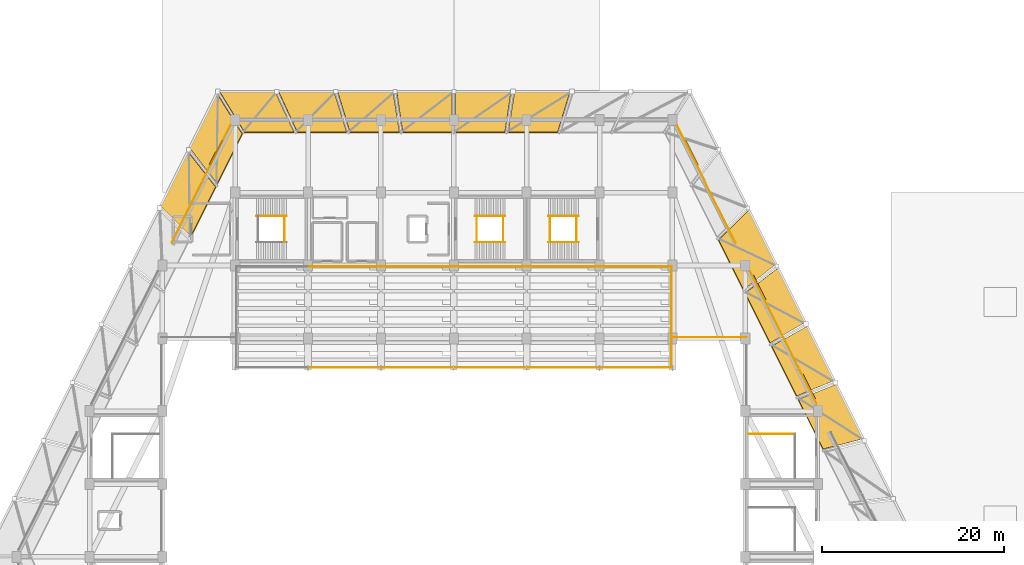
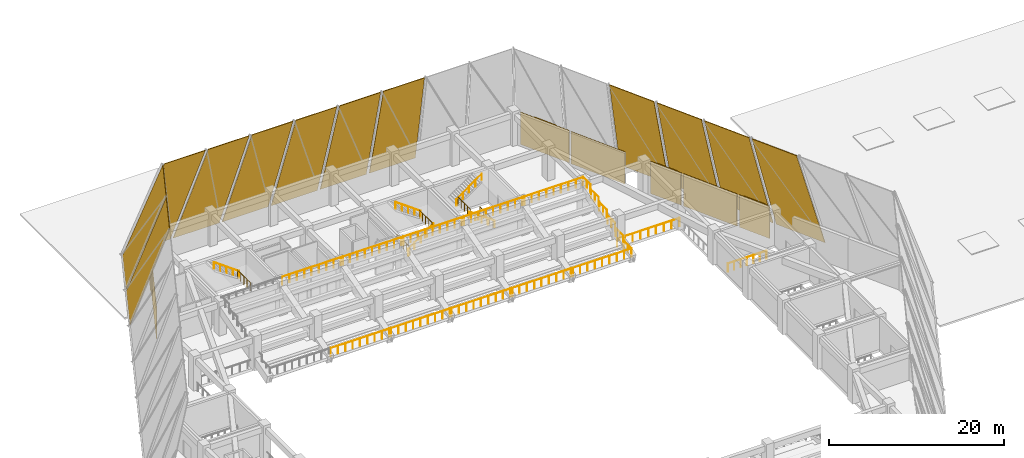
# One storey, part 23 of 24: 28 railings, 19 coverings, 4 shading devices.
"""IFC4 building model written with IfcOpenShell, lengths in metres."""

from ifc_helpers import new_model, si_unit, direction, frame, origin, origin_2d, place, context, subcontext, project, spatial, polyline, rectangle, circle, outline, extrude, material, layer, layer_set, type_object, element, save


model = new_model("IFC4")

# Units and contexts
model_context = context("Model", 3, precision=1e-05, world=origin(), true_north=direction((0.0, 1.0)))
body_context = subcontext(model_context, "Body", "Model", "MODEL_VIEW")
ifc_project = project(units=[si_unit("LENGTHUNIT", "METRE"), si_unit("AREAUNIT", "SQUARE_METRE"), si_unit("VOLUMEUNIT", "CUBIC_METRE"), si_unit("PLANEANGLEUNIT", "RADIAN"), si_unit("MASSUNIT", "GRAM", prefix="KILO")], contexts=[model_context])

# Site, building, storey
site_placement = place(None, origin())
site = spatial("IfcSite", under=ifc_project, at=site_placement, CompositionType="ELEMENT")
building_placement = place(site_placement, origin())
building = spatial("IfcBuilding", under=site, at=building_placement, Name="Tazarka Park Arena", CompositionType="ELEMENT")
storey_placement = place(building_placement, frame((0.0, 0.0, 15.0)))
storey = spatial("IfcBuildingStorey", under=building, at=storey_placement, Name="L03", CompositionType="ELEMENT", Elevation=15.0)

# Coverings
ifc_material_1 = material(Name="Dark ribbed perforated bronze-charcoal aluminium mesh", Category="aluminium")
ifc_layer = layer(ifc_material_1, 0.06005859375, Name="Dark ribbed perforated bronze-charcoal aluminium mesh")
ifc_layer_set = layer_set([ifc_layer], Name="Dark ribbed perforated bronze-charcoal aluminium mesh")
covering_type = type_object("IfcCoveringType", Name="CLD-01", PredefinedType="CLADDING", material=ifc_layer_set)
covering_1_placement = place(storey_placement, frame((132.976318359375, 76.9794921875, 0.0), z_axis=(0.854416765636, 0.427226622438, 0.295718453399), x_axis=(-0.447230089743, 0.894418943678, 4.404259e-06)))
element("IfcCovering", 1, at=covering_1_placement, inside=storey, type_object=covering_type, Name="Folded Gem Upper Ribbed Mesh Facet 019", PredefinedType="CLADDING", context=body_context, shape_type="SweptSolid", body=[
    extrude(outline(polyline([(0.0, 0.0), (6.684292856854548, -1.1102230246251565e-16), (7.063849226908394, 15.053099441361649), (0.9616109827677333, 15.053158393174112), (0.0, 0.0)])), origin(), (0.0, 0.0, -1.0), 0.080078125),
])
covering_2_placement = place(storey_placement, frame((129.782470703125, 83.366943359375, 0.0), z_axis=(0.854426594025, 0.427204177292, 0.295722481945), x_axis=(-0.447205348382, 0.894431314509, -2.202102e-06)))
element("IfcCovering", 2, at=covering_2_placement, inside=storey, type_object=covering_type, Name="Folded Gem Upper Ribbed Mesh Facet 020", PredefinedType="CLADDING", context=body_context, shape_type="SweptSolid", body=[
    extrude(outline(polyline([(0.0, 0.0), (6.684402037742119, 2.220446049250313e-16), (6.441506318627199, 15.053166509555366), (0.3392680736639323, 15.053137033729044), (0.0, 0.0)])), origin(), (0.0, 0.0, -1.0), 0.080078125),
])
covering_3_placement = place(storey_placement, frame((126.588623046875, 89.75439453125, 0.0), z_axis=(0.854425702053, 0.427212851026, 0.295712528631), x_axis=(-0.447212317948, 0.894427829763, -4.614148e-06)))
element("IfcCovering", 3, at=covering_3_placement, inside=storey, type_object=covering_type, Name="Folded Gem Upper Ribbed Mesh Facet 021", PredefinedType="CLADDING", context=body_context, shape_type="SweptSolid", body=[
    extrude(outline(polyline([(0.0, 0.0), (6.684402037113722, -2.220446049250313e-16), (5.819381548767856, 15.05313121648849), (-0.282638330229048, 15.053069455925998), (0.0, 0.0)])), origin(), (0.0, 0.0, -1.0), 0.080078125),
])
covering_4_placement = place(storey_placement, frame((123.39501953125, 96.141845703125, 0.0), z_axis=(0.854418063297, 0.427227271296, 0.295713766626), x_axis=(-0.447228812099, 0.894419582539, -2.10195e-07)))
element("IfcCovering", 4, at=covering_4_placement, inside=storey, type_object=covering_type, Name="Folded Gem Upper Ribbed Mesh Facet 022", PredefinedType="CLADDING", context=body_context, shape_type="SweptSolid", body=[
    extrude(outline(polyline([(0.0, 0.0), (6.684511220932458, 1.1102230246251565e-16), (5.197511377516311, 15.053110290258305), (-0.9045085026820289, 15.053107476761605), (0.0, 0.0)])), origin(), (0.0, 0.0, -1.0), 0.080078125),
])
covering_5_placement = place(storey_placement, frame((100.75048828125, 115.10009765625, 0.0), z_axis=(0.0, 0.955276509759, 0.295714033997), x_axis=(-1.0, 0.0, 0.0)))
element("IfcCovering", 5, at=covering_5_placement, inside=storey, type_object=covering_type, Name="Folded Gem Upper Ribbed Mesh Facet 027", PredefinedType="CLADDING", context=body_context, shape_type="SweptSolid", body=[
    extrude(outline(polyline([(0.0, 0.0), (6.064208984375, 0.0), (6.77392578125, 15.053110450846884), (1.353271484375, 15.053110450846884), (0.0, 0.0)])), origin(), (0.0, 0.0, -1.0), 0.080078125),
])
covering_6_placement = place(storey_placement, frame((94.271484375, 115.10009765625, 0.0), z_axis=(0.0, 0.955276509759, 0.295714033997), x_axis=(-1.0, 0.0, 0.0)))
element("IfcCovering", 6, at=covering_6_placement, inside=storey, type_object=covering_type, Name="Folded Gem Upper Ribbed Mesh Facet 028", PredefinedType="CLADDING", context=body_context, shape_type="SweptSolid", body=[
    extrude(outline(polyline([(0.0, 0.0), (6.064208984375, 0.0), (6.086181640625, 15.053110450846884), (0.66552734375, 15.053110450846884), (0.0, 0.0)])), origin(), (0.0, 0.0, -1.0), 0.080078125),
])
covering_7_placement = place(storey_placement, frame((87.792724609375, 115.10009765625, 0.0), z_axis=(0.0, 0.955276509759, 0.295714033997), x_axis=(-1.0, 0.0, 0.0)))
element("IfcCovering", 7, at=covering_7_placement, inside=storey, type_object=covering_type, Name="Folded Gem Upper Ribbed Mesh Facet 029", PredefinedType="CLADDING", context=body_context, shape_type="SweptSolid", body=[
    extrude(outline(polyline([(0.0, 0.0), (6.064208984375, 0.0), (5.398681640625, 15.053110450846884), (-0.02197265625, 15.053110450846884), (0.0, 0.0)])), origin(), (0.0, 0.0, -1.0), 0.080078125),
])
covering_8_placement = place(storey_placement, frame((81.313720703125, 115.10009765625, 0.0), z_axis=(0.0, 0.955276509759, 0.295714033997), x_axis=(-1.0, 0.0, 0.0)))
element("IfcCovering", 8, at=covering_8_placement, inside=storey, type_object=covering_type, Name="Folded Gem Upper Ribbed Mesh Facet 030", PredefinedType="CLADDING", context=body_context, shape_type="SweptSolid", body=[
    extrude(outline(polyline([(0.0, 0.0), (6.064208984375, 0.0), (4.7109375, 15.053110450846884), (-0.709716796875, 15.053110450846884), (0.0, 0.0)])), origin(), (0.0, 0.0, -1.0), 0.080078125),
])
covering_9_placement = place(storey_placement, frame((74.834716796875, 115.10009765625, 0.0), z_axis=(0.0, 0.955276509759, 0.295714033997), x_axis=(-1.0, 0.0, 0.0)))
element("IfcCovering", 9, at=covering_9_placement, inside=storey, type_object=covering_type, Name="Folded Gem Upper Ribbed Mesh Facet 031", PredefinedType="CLADDING", context=body_context, shape_type="SweptSolid", body=[
    extrude(outline(polyline([(0.0, 0.0), (6.064208984375, 0.0), (4.02294921875, 15.053110450846884), (-1.397705078125, 15.053110450846884), (0.0, 0.0)])), origin(), (0.0, 0.0, -1.0), 0.080078125),
])
covering_10_placement = place(storey_placement, frame((68.355712890625, 115.10009765625, 0.0), z_axis=(0.0, 0.955276509759, 0.295714033997), x_axis=(-1.0, 0.0, 0.0)))
element("IfcCovering", 10, at=covering_10_placement, inside=storey, type_object=covering_type, Name="Folded Gem Upper Ribbed Mesh Facet 032", PredefinedType="CLADDING", context=body_context, shape_type="SweptSolid", body=[
    extrude(outline(polyline([(0.0, 0.0), (6.064208984375, 0.0), (3.335205078125, 15.053110450846884), (-2.08544921875, 15.053110450846884), (0.0, 0.0)])), origin(), (0.0, 0.0, -1.0), 0.080078125),
])
covering_11_placement = place(storey_placement, frame((61.98193359375, 114.8955078125, 0.0), z_axis=(-0.854422620568, 0.427220430351, 0.295710482317), x_axis=(-0.447220565242, -0.894423706092, 2.41218e-06)))
element("IfcCovering", 11, at=covering_11_placement, inside=storey, type_object=covering_type, Name="Folded Gem Upper Ribbed Mesh Facet 033", PredefinedType="CLADDING", context=body_context, shape_type="SweptSolid", body=[
    extrude(outline(polyline([(0.0, 0.0), (6.6841836707999365, 0.0), (8.83323279246505, 15.053070821129827), (2.73121291259323, 15.053103107689404), (0.0, 0.0)])), origin(), (0.0, 0.0, -1.0), 0.080078125),
])
covering_12_placement = place(storey_placement, frame((58.7880859375, 108.508056640625, 0.0), z_axis=(-0.854425702053, 0.427212851026, 0.295712528631), x_axis=(-0.447212317948, -0.894427829763, 4.614148e-06)))
element("IfcCovering", 12, at=covering_12_placement, inside=storey, type_object=covering_type, Name="Folded Gem Upper Ribbed Mesh Facet 034", PredefinedType="CLADDING", context=body_context, shape_type="SweptSolid", body=[
    extrude(outline(polyline([(0.0, 0.0), (6.684402037113722, 2.220446049250313e-16), (8.211180728832655, 15.053063446519374), (2.1091608498357544, 15.053125207081868), (0.0, 0.0)])), origin(), (0.0, 0.0, -1.0), 0.080078125),
])
covering_13_placement = place(storey_placement, frame((114.03369140625, 108.36865234375, 0.0), z_axis=(0.0, 0.0, 1.0), x_axis=(0.447290848419, -0.89438856037, 0.0)))
element("IfcCovering", 13, at=covering_13_placement, inside=storey, type_object=covering_type, Name="Ribbed Metal Mesh Cladding EW-L03-0297", PredefinedType="CLADDING", context=body_context, shape_type="SweptSolid", body=[
    extrude(rectangle(XDim=6.718017578125, YDim=0.06005859375, at=origin_2d()), origin(), (0.0, 0.0, 1.0), 4.5),
])
covering_14_placement = place(storey_placement, frame((117.281494140625, 101.78369140625, 0.0), z_axis=(0.0, 0.0, 1.0), x_axis=(0.447290848419, -0.89438856037, 0.0)))
element("IfcCovering", 14, at=covering_14_placement, inside=storey, type_object=covering_type, Name="Ribbed Metal Mesh Cladding EW-L03-0298", PredefinedType="CLADDING", context=body_context, shape_type="SweptSolid", body=[
    extrude(rectangle(XDim=7.366455078125, YDim=0.06005859375, at=origin_2d()), origin(), (0.0, 0.0, 1.0), 4.5),
])
covering_15_placement = place(storey_placement, frame((121.47119140625, 93.51611328125, 0.0), z_axis=(0.0, 0.0, 1.0), x_axis=(0.447290848419, -0.89438856037, 0.0)))
element("IfcCovering", 15, at=covering_15_placement, inside=storey, type_object=covering_type, Name="Ribbed Metal Mesh Cladding EW-L03-0299", PredefinedType="CLADDING", context=body_context, shape_type="SweptSolid", body=[
    extrude(rectangle(XDim=4.16259765625, YDim=0.06005859375, at=origin_2d()), origin(), (0.0, 0.0, 1.0), 4.5),
])
covering_16_placement = place(storey_placement, frame((124.1923828125, 88.09619140625, 0.0), z_axis=(0.0, 0.0, 1.0), x_axis=(0.447290848419, -0.89438856037, 0.0)))
element("IfcCovering", 16, at=covering_16_placement, inside=storey, type_object=covering_type, Name="Ribbed Metal Mesh Cladding EW-L03-0300", PredefinedType="CLADDING", context=body_context, shape_type="SweptSolid", body=[
    extrude(rectangle(XDim=7.36669921875, YDim=0.06005859375, at=origin_2d()), origin(), (0.0, 0.0, 1.0), 4.5),
])
covering_17_placement = place(storey_placement, frame((126.913330078125, 82.67626953125, 0.0), z_axis=(0.0, 0.0, 1.0), x_axis=(0.447290848419, -0.89438856037, 0.0)))
element("IfcCovering", 17, at=covering_17_placement, inside=storey, type_object=covering_type, Name="Ribbed Metal Mesh Cladding EW-L03-0301", PredefinedType="CLADDING", context=body_context, shape_type="SweptSolid", body=[
    extrude(rectangle(XDim=4.16259765625, YDim=0.06005859375, at=origin_2d()), origin(), (0.0, 0.0, 1.0), 4.5),
])
covering_18_placement = place(storey_placement, frame((58.673828125, 101.805908203125, 0.0), z_axis=(0.0, 0.0, 1.0), x_axis=(0.447290848419, 0.89438856037, 0.0)))
element("IfcCovering", 18, at=covering_18_placement, inside=storey, type_object=covering_type, Name="Ribbed Metal Mesh Cladding EW-L03-0315", PredefinedType="CLADDING", context=body_context, shape_type="SweptSolid", body=[
    extrude(rectangle(XDim=7.366455078125, YDim=0.06005859375, at=origin_2d()), origin(), (0.0, 0.0, 1.0), 4.5),
])
covering_19_placement = place(storey_placement, frame((61.948486328125, 108.377685546875, 0.0), z_axis=(0.0, 0.0, 1.0), x_axis=(0.447290848419, 0.89438856037, 0.0)))
element("IfcCovering", 19, at=covering_19_placement, inside=storey, type_object=covering_type, Name="Ribbed Metal Mesh Cladding EW-L03-0316", PredefinedType="CLADDING", context=body_context, shape_type="SweptSolid", body=[
    extrude(rectangle(XDim=6.718017578125, YDim=0.06005859375, at=origin_2d()), origin(), (0.0, 0.0, 1.0), 4.5),
])

# Railings
ifc_material_2 = material(Name="Brushed architectural stainless steel", Category="steel")
railing_type_1 = type_object("IfcRailingType", Name="HR-01", PredefinedType="HANDRAIL", material=ifc_material_2)
railing_1_placement = place(storey_placement, frame((101.68505859375, 98.550048828125, 0.0)))
element("IfcRailing", 20, at=railing_1_placement, inside=storey, type_object=railing_type_1, Name="Stair Handrail ST10-L03-F1", PredefinedType="HANDRAIL", context=body_context, shape_type="SweptSolid", body=[
    extrude(circle(Radius=0.02392578125, at=origin_2d()), frame((0.0, 0.0, 0.89599609375), z_axis=(-0.810008566192, 0.0, 0.586418044312), x_axis=(0.0, -1.0, 0.0)), (0.0, 0.0, 1.0), 4.092529296875),
    extrude(circle(Radius=0.02099609375, at=origin_2d()), origin(), (0.0, 0.0, 1.0), 0.871826171875),
    extrude(circle(Radius=0.02099609375, at=origin_2d()), frame((-0.82861328125, 0.0, 0.60009765625)), (0.0, 0.0, 1.0), 0.871826171875),
    extrude(circle(Radius=0.02099609375, at=origin_2d()), frame((-1.657470703125, 0.0, 1.199951171875)), (0.0, 0.0, 1.0), 0.871826171875),
    extrude(circle(Radius=0.02099609375, at=origin_2d()), frame((-2.486328125, 0.0, 1.7998046875)), (0.0, 0.0, 1.0), 0.871826171875),
    extrude(circle(Radius=0.02099609375, at=origin_2d()), frame((-3.31494140625, 0.0, 2.39990234375)), (0.0, 0.0, 1.0), 0.871826171875),
])
railing_2_placement = place(storey_placement, frame((98.3701171875, 101.449951171875, 2.39990234375)))
element("IfcRailing", 21, at=railing_2_placement, inside=storey, type_object=railing_type_1, Name="Stair Handrail ST10-L03-F2", PredefinedType="HANDRAIL", context=body_context, shape_type="SweptSolid", body=[
    extrude(circle(Radius=0.02392578125, at=origin_2d()), frame((0.0, 0.0, 0.89599609375), z_axis=(0.809980229442, 0.0, 0.586457183359), x_axis=(0.0, 1.0, 0.0)), (0.0, 0.0, 1.0), 4.092529296875),
    extrude(circle(Radius=0.02099609375, at=origin_2d()), origin(), (0.0, 0.0, 1.0), 0.871826171875),
    extrude(circle(Radius=0.02099609375, at=origin_2d()), frame((0.82861328125, 0.0, 0.60009765625)), (0.0, 0.0, 1.0), 0.871826171875),
    extrude(circle(Radius=0.02099609375, at=origin_2d()), frame((1.657470703125, 0.0, 1.2001953125)), (0.0, 0.0, 1.0), 0.871826171875),
    extrude(circle(Radius=0.02099609375, at=origin_2d()), frame((2.486328125, 0.0, 1.800048828125)), (0.0, 0.0, 1.0), 0.871826171875),
    extrude(circle(Radius=0.02099609375, at=origin_2d()), frame((3.31494140625, 0.0, 2.400146484375)), (0.0, 0.0, 1.0), 0.871826171875),
])
railing_3_placement = place(storey_placement, frame((69.6298828125, 101.449951171875, 2.39990234375)))
element("IfcRailing", 22, at=railing_3_placement, inside=storey, type_object=railing_type_1, Name="Stair Handrail ST14-L03-F2", PredefinedType="HANDRAIL", context=body_context, shape_type="SweptSolid", body=[
    extrude(circle(Radius=0.02392578125, at=origin_2d()), frame((0.0, 0.0, 0.89599609375), z_axis=(-0.809980229442, 0.0, 0.586457183359), x_axis=(0.0, -1.0, 0.0)), (0.0, 0.0, 1.0), 4.092529296875),
    extrude(circle(Radius=0.02099609375, at=origin_2d()), origin(), (0.0, 0.0, 1.0), 0.871826171875),
    extrude(circle(Radius=0.02099609375, at=origin_2d()), frame((-0.82861328125, 0.0, 0.60009765625)), (0.0, 0.0, 1.0), 0.871826171875),
    extrude(circle(Radius=0.02099609375, at=origin_2d()), frame((-1.657470703125, 0.0, 1.2001953125)), (0.0, 0.0, 1.0), 0.871826171875),
    extrude(circle(Radius=0.02099609375, at=origin_2d()), frame((-2.486328125, 0.0, 1.800048828125)), (0.0, 0.0, 1.0), 0.871826171875),
    extrude(circle(Radius=0.02099609375, at=origin_2d()), frame((-3.31494140625, 0.0, 2.400146484375)), (0.0, 0.0, 1.0), 0.871826171875),
])
railing_4_placement = place(storey_placement, frame((90.31494140625, 98.550048828125, 0.0)))
element("IfcRailing", 23, at=railing_4_placement, inside=storey, type_object=railing_type_1, Name="Stair Handrail ST15-L03-F1", PredefinedType="HANDRAIL", context=body_context, shape_type="SweptSolid", body=[
    extrude(circle(Radius=0.02392578125, at=origin_2d()), frame((0.0, 0.0, 0.89599609375), z_axis=(0.810008566192, 0.0, 0.586418044312), x_axis=(0.0, 1.0, 0.0)), (0.0, 0.0, 1.0), 4.092529296875),
    extrude(circle(Radius=0.02099609375, at=origin_2d()), origin(), (0.0, 0.0, 1.0), 0.871826171875),
    extrude(circle(Radius=0.02099609375, at=origin_2d()), frame((0.82861328125, 0.0, 0.60009765625)), (0.0, 0.0, 1.0), 0.871826171875),
    extrude(circle(Radius=0.02099609375, at=origin_2d()), frame((1.657470703125, 0.0, 1.199951171875)), (0.0, 0.0, 1.0), 0.871826171875),
    extrude(circle(Radius=0.02099609375, at=origin_2d()), frame((2.486328125, 0.0, 1.7998046875)), (0.0, 0.0, 1.0), 0.871826171875),
    extrude(circle(Radius=0.02099609375, at=origin_2d()), frame((3.31494140625, 0.0, 2.39990234375)), (0.0, 0.0, 1.0), 0.871826171875),
])
railing_5_placement = place(storey_placement, frame((93.6298828125, 101.449951171875, 2.39990234375)))
element("IfcRailing", 24, at=railing_5_placement, inside=storey, type_object=railing_type_1, Name="Stair Handrail ST15-L03-F2", PredefinedType="HANDRAIL", context=body_context, shape_type="SweptSolid", body=[
    extrude(circle(Radius=0.02392578125, at=origin_2d()), frame((0.0, 0.0, 0.89599609375), z_axis=(-0.809980229442, 0.0, 0.586457183359), x_axis=(0.0, -1.0, 0.0)), (0.0, 0.0, 1.0), 4.092529296875),
    extrude(circle(Radius=0.02099609375, at=origin_2d()), origin(), (0.0, 0.0, 1.0), 0.871826171875),
    extrude(circle(Radius=0.02099609375, at=origin_2d()), frame((-0.82861328125, 0.0, 0.60009765625)), (0.0, 0.0, 1.0), 0.871826171875),
    extrude(circle(Radius=0.02099609375, at=origin_2d()), frame((-1.657470703125, 0.0, 1.2001953125)), (0.0, 0.0, 1.0), 0.871826171875),
    extrude(circle(Radius=0.02099609375, at=origin_2d()), frame((-2.486328125, 0.0, 1.800048828125)), (0.0, 0.0, 1.0), 0.871826171875),
    extrude(circle(Radius=0.02099609375, at=origin_2d()), frame((-3.31494140625, 0.0, 2.400146484375)), (0.0, 0.0, 1.0), 0.871826171875),
])
ifc_material_3 = material(Name="Galvanised powder-coated architectural steel", Category="steel")
railing_type_2 = type_object("IfcRailingType", Name="IGR-01", PredefinedType="GUARDRAIL", material=ifc_material_3)
for number, where, name in (
    (25, (101.485107421875, 98.550048828125, 0.0), "Stair Well Guardrail ST10-L03"),
    (26, (98.570068359375, 98.550048828125, 2.39990234375), "Landing Guardrail ST10-L03-M"),
    (27, (69.429931640625, 98.550048828125, 2.39990234375), "Landing Guardrail ST14-L03-M"),
    (28, (90.514892578125, 98.550048828125, 0.0), "Stair Well Guardrail ST15-L03"),
    (29, (93.429931640625, 98.550048828125, 2.39990234375), "Landing Guardrail ST15-L03-M"),
):
    element("IfcRailing", number, at=place(storey_placement, frame(where)), inside=storey, type_object=railing_type_2, Name=name, PredefinedType="GUARDRAIL", context=body_context, shape_type="SweptSolid", body=[
        extrude(circle(Radius=0.02392578125, at=origin_2d()), frame((0.0, 0.0, 1.1259765625), z_axis=(0.0, 1.0, 0.0), x_axis=(-1.0, 0.0, 0.0)), (0.0, 0.0, 1.0), 2.89990234375),
        extrude(circle(Radius=0.02099609375, at=origin_2d()), origin(), (0.0, 0.0, 1.0), 1.101806640625),
        extrude(circle(Radius=0.02099609375, at=origin_2d()), frame((0.0, 0.72509765625, 0.0)), (0.0, 0.0, 1.0), 1.101806640625),
        extrude(circle(Radius=0.02099609375, at=origin_2d()), frame((0.0, 1.449951171875, 0.0)), (0.0, 0.0, 1.0), 1.101806640625),
        extrude(circle(Radius=0.02099609375, at=origin_2d()), frame((0.0, 2.1748046875, 0.0)), (0.0, 0.0, 1.0), 1.101806640625),
        extrude(circle(Radius=0.02099609375, at=origin_2d()), frame((0.0, 2.89990234375, 0.0)), (0.0, 0.0, 1.0), 1.101806640625),
    ])
railing_6_placement = place(storey_placement, frame((125.485107421875, 77.489990234375, 0.0)))
element("IfcRailing", 30, at=railing_6_placement, inside=storey, type_object=railing_type_2, Name="Top Well Guardrail ST22-L03", PredefinedType="GUARDRAIL", context=body_context, shape_type="SweptSolid", body=[
    extrude(circle(Radius=0.02392578125, at=origin_2d()), frame((0.0, 0.0, 1.1259765625), z_axis=(-1.0, 0.0, 0.0), x_axis=(0.0, -1.0, 0.0)), (0.0, 0.0, 1.0), 5.105224609375),
    extrude(circle(Radius=0.02099609375, at=origin_2d()), origin(), (0.0, 0.0, 1.0), 1.101806640625),
    extrude(circle(Radius=0.02099609375, at=origin_2d()), frame((-0.850830078125, 0.0, 0.0)), (0.0, 0.0, 1.0), 1.101806640625),
    extrude(circle(Radius=0.02099609375, at=origin_2d()), frame((-1.70166015625, 0.0, 0.0)), (0.0, 0.0, 1.0), 1.101806640625),
    extrude(circle(Radius=0.02099609375, at=origin_2d()), frame((-2.552734375, 0.0, 0.0)), (0.0, 0.0, 1.0), 1.101806640625),
    extrude(circle(Radius=0.02099609375, at=origin_2d()), frame((-3.403564453125, 0.0, 0.0)), (0.0, 0.0, 1.0), 1.101806640625),
    extrude(circle(Radius=0.02099609375, at=origin_2d()), frame((-4.25439453125, 0.0, 0.0)), (0.0, 0.0, 1.0), 1.101806640625),
    extrude(circle(Radius=0.02099609375, at=origin_2d()), frame((-5.105224609375, 0.0, 0.0)), (0.0, 0.0, 1.0), 1.101806640625),
])
railing_7_placement = place(storey_placement, frame((111.89990234375, 88.1201171875, 0.0)))
element("IfcRailing", 31, at=railing_7_placement, inside=storey, type_object=railing_type_2, Name="Interior Barrier Guardrail IGR-01-014", PredefinedType="GUARDRAIL", context=body_context, shape_type="SweptSolid", body=[
    extrude(circle(Radius=0.02392578125, at=origin_2d()), frame((0.0, 0.0, 1.1259765625), z_axis=(1.0, 0.0, 0.0), x_axis=(0.0, 1.0, 0.0)), (0.0, 0.0, 1.0), 8.22021484375),
    extrude(circle(Radius=0.02099609375, at=origin_2d()), origin(), (0.0, 0.0, 1.0), 1.101806640625),
    extrude(circle(Radius=0.02099609375, at=origin_2d()), frame((1.027587890625, 0.0, 0.0)), (0.0, 0.0, 1.0), 1.101806640625),
    extrude(circle(Radius=0.02099609375, at=origin_2d()), frame((2.05517578125, 0.0, 0.0)), (0.0, 0.0, 1.0), 1.101806640625),
    extrude(circle(Radius=0.02099609375, at=origin_2d()), frame((3.08251953125, 0.0, 0.0)), (0.0, 0.0, 1.0), 1.101806640625),
    extrude(circle(Radius=0.02099609375, at=origin_2d()), frame((4.110107421875, 0.0, 0.0)), (0.0, 0.0, 1.0), 1.101806640625),
    extrude(circle(Radius=0.02099609375, at=origin_2d()), frame((5.1376953125, 0.0, 0.0)), (0.0, 0.0, 1.0), 1.101806640625),
    extrude(circle(Radius=0.02099609375, at=origin_2d()), frame((6.1650390625, 0.0, 0.0)), (0.0, 0.0, 1.0), 1.101806640625),
    extrude(circle(Radius=0.02099609375, at=origin_2d()), frame((7.192626953125, 0.0, 0.0)), (0.0, 0.0, 1.0), 1.101806640625),
    extrude(circle(Radius=0.02099609375, at=origin_2d()), frame((8.22021484375, 0.0, 0.0)), (0.0, 0.0, 1.0), 1.101806640625),
])
for number, where, name in (
    (32, (72.1201171875, 84.800048828125, 0.64990234375), "Interior Barrier Guardrail IGR-01-093"),
    (33, (80.1201171875, 84.800048828125, 0.64990234375), "Interior Barrier Guardrail IGR-01-094"),
    (34, (88.1201171875, 84.800048828125, 0.64990234375), "Interior Barrier Guardrail IGR-01-095"),
    (35, (96.1201171875, 84.800048828125, 0.64990234375), "Interior Barrier Guardrail IGR-01-096"),
):
    element("IfcRailing", number, at=place(storey_placement, frame(where)), inside=storey, type_object=railing_type_2, Name=name, PredefinedType="GUARDRAIL", context=body_context, shape_type="SweptSolid", body=[
        extrude(circle(Radius=0.02392578125, at=origin_2d()), frame((0.0, 0.0, 1.1259765625), z_axis=(1.0, 0.0, 0.0), x_axis=(0.0, 1.0, 0.0)), (0.0, 0.0, 1.0), 7.759765625),
        extrude(circle(Radius=0.02099609375, at=origin_2d()), origin(), (0.0, 0.0, 1.0), 1.101806640625),
        extrude(circle(Radius=0.02099609375, at=origin_2d()), frame((0.969970703125, 0.0, 0.0)), (0.0, 0.0, 1.0), 1.101806640625),
        extrude(circle(Radius=0.02099609375, at=origin_2d()), frame((1.93994140625, 0.0, 0.0)), (0.0, 0.0, 1.0), 1.101806640625),
        extrude(circle(Radius=0.02099609375, at=origin_2d()), frame((2.909912109375, 0.0, 0.0)), (0.0, 0.0, 1.0), 1.101806640625),
        extrude(circle(Radius=0.02099609375, at=origin_2d()), frame((3.8798828125, 0.0, 0.0)), (0.0, 0.0, 1.0), 1.101806640625),
        extrude(circle(Radius=0.02099609375, at=origin_2d()), frame((4.849853515625, 0.0, 0.0)), (0.0, 0.0, 1.0), 1.101806640625),
        extrude(circle(Radius=0.02099609375, at=origin_2d()), frame((5.81982421875, 0.0, 0.0)), (0.0, 0.0, 1.0), 1.101806640625),
        extrude(circle(Radius=0.02099609375, at=origin_2d()), frame((6.789794921875, 0.0, 0.0)), (0.0, 0.0, 1.0), 1.101806640625),
        extrude(circle(Radius=0.02099609375, at=origin_2d()), frame((7.759765625, 0.0, 0.0)), (0.0, 0.0, 1.0), 1.101806640625),
    ])
railing_8_placement = place(storey_placement, frame((111.8798828125, 84.780029296875, 0.64990234375)))
element("IfcRailing", 36, at=railing_8_placement, inside=storey, type_object=railing_type_2, Name="Interior Barrier Guardrail IGR-01-097", PredefinedType="GUARDRAIL", context=body_context, shape_type="SweptSolid", body=[
    extrude(circle(Radius=0.02392578125, at=origin_2d()), frame((0.0, 0.0, 1.1259765625), z_axis=(0.0, 1.0, 0.0), x_axis=(-1.0, 0.0, 0.0)), (0.0, 0.0, 1.0), 1.719970703125),
    extrude(circle(Radius=0.02099609375, at=origin_2d()), origin(), (0.0, 0.0, 1.0), 1.101806640625),
    extrude(circle(Radius=0.02099609375, at=origin_2d()), frame((0.0, 0.85986328125, 0.0)), (0.0, 0.0, 1.0), 1.101806640625),
    extrude(circle(Radius=0.02099609375, at=origin_2d()), frame((0.0, 1.719970703125, 0.0)), (0.0, 0.0, 1.0), 1.101806640625),
])
railing_9_placement = place(storey_placement, frame((104.1201171875, 84.800048828125, 0.64990234375)))
element("IfcRailing", 37, at=railing_9_placement, inside=storey, type_object=railing_type_2, Name="Interior Barrier Guardrail IGR-01-098", PredefinedType="GUARDRAIL", context=body_context, shape_type="SweptSolid", body=[
    extrude(circle(Radius=0.02392578125, at=origin_2d()), frame((0.0, 0.0, 1.1259765625), z_axis=(1.0, 0.0, 0.0), x_axis=(0.0, 1.0, 0.0)), (0.0, 0.0, 1.0), 7.759765625),
    extrude(circle(Radius=0.02099609375, at=origin_2d()), origin(), (0.0, 0.0, 1.0), 1.101806640625),
    extrude(circle(Radius=0.02099609375, at=origin_2d()), frame((0.969970703125, 0.0, 0.0)), (0.0, 0.0, 1.0), 1.101806640625),
    extrude(circle(Radius=0.02099609375, at=origin_2d()), frame((1.93994140625, 0.0, 0.0)), (0.0, 0.0, 1.0), 1.101806640625),
    extrude(circle(Radius=0.02099609375, at=origin_2d()), frame((2.909912109375, 0.0, 0.0)), (0.0, 0.0, 1.0), 1.101806640625),
    extrude(circle(Radius=0.02099609375, at=origin_2d()), frame((3.8798828125, 0.0, 0.0)), (0.0, 0.0, 1.0), 1.101806640625),
    extrude(circle(Radius=0.02099609375, at=origin_2d()), frame((4.849853515625, 0.0, 0.0)), (0.0, 0.0, 1.0), 1.101806640625),
    extrude(circle(Radius=0.02099609375, at=origin_2d()), frame((5.81982421875, 0.0, 0.0)), (0.0, 0.0, 1.0), 1.101806640625),
    extrude(circle(Radius=0.02099609375, at=origin_2d()), frame((6.789794921875, 0.0, 0.0)), (0.0, 0.0, 1.0), 1.101806640625),
    extrude(circle(Radius=0.02099609375, at=origin_2d()), frame((7.759765625, 0.0, 0.0)), (0.0, 0.0, 1.0), 1.101806640625),
])
for number, where, name in (
    (38, (111.8798828125, 86.659912109375, 1.300048828125), "Interior Barrier Guardrail IGR-01-100"),
    (39, (111.8798828125, 88.5400390625, 1.949951171875), "Interior Barrier Guardrail IGR-01-102"),
    (40, (111.8798828125, 90.419921875, 2.60009765625), "Interior Barrier Guardrail IGR-01-104"),
    (41, (111.8798828125, 92.300048828125, 3.25), "Interior Barrier Guardrail IGR-01-106"),
):
    element("IfcRailing", number, at=place(storey_placement, frame(where)), inside=storey, type_object=railing_type_2, Name=name, PredefinedType="GUARDRAIL", context=body_context, shape_type="SweptSolid", body=[
        extrude(circle(Radius=0.02392578125, at=origin_2d()), frame((0.0, 0.0, 1.1259765625), z_axis=(0.0, 1.0, 0.0), x_axis=(-1.0, 0.0, 0.0)), (0.0, 0.0, 1.0), 1.719970703125),
        extrude(circle(Radius=0.02099609375, at=origin_2d()), origin(), (0.0, 0.0, 1.0), 1.101806640625),
        extrude(circle(Radius=0.02099609375, at=origin_2d()), frame((0.0, 0.85986328125, 0.0)), (0.0, 0.0, 1.0), 1.101806640625),
        extrude(circle(Radius=0.02099609375, at=origin_2d()), frame((0.0, 1.719970703125, 0.0)), (0.0, 0.0, 1.0), 1.101806640625),
    ])
for number, where, name in (
    (42, (72.1201171875, 95.8798828125, 3.89990234375), "Interior Barrier Guardrail IGR-01-109"),
    (43, (80.1201171875, 95.8798828125, 3.89990234375), "Interior Barrier Guardrail IGR-01-110"),
    (44, (88.1201171875, 95.8798828125, 3.89990234375), "Interior Barrier Guardrail IGR-01-111"),
    (45, (96.1201171875, 95.8798828125, 3.89990234375), "Interior Barrier Guardrail IGR-01-112"),
):
    element("IfcRailing", number, at=place(storey_placement, frame(where)), inside=storey, type_object=railing_type_2, Name=name, PredefinedType="GUARDRAIL", context=body_context, shape_type="SweptSolid", body=[
        extrude(circle(Radius=0.02392578125, at=origin_2d()), frame((0.0, 0.0, 1.1259765625), z_axis=(1.0, 0.0, 0.0), x_axis=(0.0, 1.0, 0.0)), (0.0, 0.0, 1.0), 7.759765625),
        extrude(circle(Radius=0.02099609375, at=origin_2d()), origin(), (0.0, 0.0, 1.0), 1.101806640625),
        extrude(circle(Radius=0.02099609375, at=origin_2d()), frame((0.969970703125, 0.0, 0.0)), (0.0, 0.0, 1.0), 1.101806640625),
        extrude(circle(Radius=0.02099609375, at=origin_2d()), frame((1.93994140625, 0.0, 0.0)), (0.0, 0.0, 1.0), 1.101806640625),
        extrude(circle(Radius=0.02099609375, at=origin_2d()), frame((2.909912109375, 0.0, 0.0)), (0.0, 0.0, 1.0), 1.101806640625),
        extrude(circle(Radius=0.02099609375, at=origin_2d()), frame((3.8798828125, 0.0, 0.0)), (0.0, 0.0, 1.0), 1.101806640625),
        extrude(circle(Radius=0.02099609375, at=origin_2d()), frame((4.849853515625, 0.0, 0.0)), (0.0, 0.0, 1.0), 1.101806640625),
        extrude(circle(Radius=0.02099609375, at=origin_2d()), frame((5.81982421875, 0.0, 0.0)), (0.0, 0.0, 1.0), 1.101806640625),
        extrude(circle(Radius=0.02099609375, at=origin_2d()), frame((6.789794921875, 0.0, 0.0)), (0.0, 0.0, 1.0), 1.101806640625),
        extrude(circle(Radius=0.02099609375, at=origin_2d()), frame((7.759765625, 0.0, 0.0)), (0.0, 0.0, 1.0), 1.101806640625),
    ])
railing_10_placement = place(storey_placement, frame((111.8798828125, 94.179931640625, 3.89990234375)))
element("IfcRailing", 46, at=railing_10_placement, inside=storey, type_object=railing_type_2, Name="Interior Barrier Guardrail IGR-01-113", PredefinedType="GUARDRAIL", context=body_context, shape_type="SweptSolid", body=[
    extrude(circle(Radius=0.02392578125, at=origin_2d()), frame((0.0, 0.0, 1.1259765625), z_axis=(0.0, 1.0, 0.0), x_axis=(-1.0, 0.0, 0.0)), (0.0, 0.0, 1.0), 1.719970703125),
    extrude(circle(Radius=0.02099609375, at=origin_2d()), origin(), (0.0, 0.0, 1.0), 1.101806640625),
    extrude(circle(Radius=0.02099609375, at=origin_2d()), frame((0.0, 0.85986328125, 0.0)), (0.0, 0.0, 1.0), 1.101806640625),
    extrude(circle(Radius=0.02099609375, at=origin_2d()), frame((0.0, 1.719970703125, 0.0)), (0.0, 0.0, 1.0), 1.101806640625),
])
railing_11_placement = place(storey_placement, frame((104.1201171875, 95.8798828125, 3.89990234375)))
element("IfcRailing", 47, at=railing_11_placement, inside=storey, type_object=railing_type_2, Name="Interior Barrier Guardrail IGR-01-114", PredefinedType="GUARDRAIL", context=body_context, shape_type="SweptSolid", body=[
    extrude(circle(Radius=0.02392578125, at=origin_2d()), frame((0.0, 0.0, 1.1259765625), z_axis=(1.0, 0.0, 0.0), x_axis=(0.0, 1.0, 0.0)), (0.0, 0.0, 1.0), 7.759765625),
    extrude(circle(Radius=0.02099609375, at=origin_2d()), origin(), (0.0, 0.0, 1.0), 1.101806640625),
    extrude(circle(Radius=0.02099609375, at=origin_2d()), frame((0.969970703125, 0.0, 0.0)), (0.0, 0.0, 1.0), 1.101806640625),
    extrude(circle(Radius=0.02099609375, at=origin_2d()), frame((1.93994140625, 0.0, 0.0)), (0.0, 0.0, 1.0), 1.101806640625),
    extrude(circle(Radius=0.02099609375, at=origin_2d()), frame((2.909912109375, 0.0, 0.0)), (0.0, 0.0, 1.0), 1.101806640625),
    extrude(circle(Radius=0.02099609375, at=origin_2d()), frame((3.8798828125, 0.0, 0.0)), (0.0, 0.0, 1.0), 1.101806640625),
    extrude(circle(Radius=0.02099609375, at=origin_2d()), frame((4.849853515625, 0.0, 0.0)), (0.0, 0.0, 1.0), 1.101806640625),
    extrude(circle(Radius=0.02099609375, at=origin_2d()), frame((5.81982421875, 0.0, 0.0)), (0.0, 0.0, 1.0), 1.101806640625),
    extrude(circle(Radius=0.02099609375, at=origin_2d()), frame((6.789794921875, 0.0, 0.0)), (0.0, 0.0, 1.0), 1.101806640625),
    extrude(circle(Radius=0.02099609375, at=origin_2d()), frame((7.759765625, 0.0, 0.0)), (0.0, 0.0, 1.0), 1.101806640625),
])

# Shading devices
ifc_material_4 = material(Name="Dark ribbed perforated bronze-charcoal aluminium mesh", Category="aluminium")
shading_device_type = type_object("IfcShadingDeviceType", Name="SHD-02", PredefinedType="JALOUSIE", material=ifc_material_4)
for number, where, z_axis, x_axis, name in (
    (48, (114.08740234375, 108.3955078125, 0.0), (0.0, 0.0, 1.0), (0.447290848419, -0.89438856037, 0.0), "Perforated Mesh Screen EW-L03-0297"),
    (49, (121.52490234375, 93.542724609375, 0.0), (0.0, 0.0, 1.0), (0.447290848419, -0.89438856037, 0.0), "Perforated Mesh Screen EW-L03-0299"),
    (50, (126.967041015625, 82.703125, 0.0), (0.0, 0.0, 1.0), (0.447290848419, -0.89438856037, 0.0), "Perforated Mesh Screen EW-L03-0301"),
    (51, (61.894775390625, 108.404296875, 0.0), (0.0, 0.0, 1.0), (0.447290848419, 0.89438856037, 0.0), "Perforated Mesh Screen EW-L03-0316"),
):
    element("IfcShadingDevice", number, at=place(storey_placement, frame(where, z_axis=z_axis, x_axis=x_axis)), inside=storey, type_object=shading_device_type, Name=name, PredefinedType="JALOUSIE", context=body_context, shape_type="SweptSolid", body=[
        extrude(rectangle(XDim=3.0, YDim=0.139892578125, at=origin_2d()), origin(), (0.0, 0.0, 1.0), 4.5),
    ])

save(model, "model.ifc")
